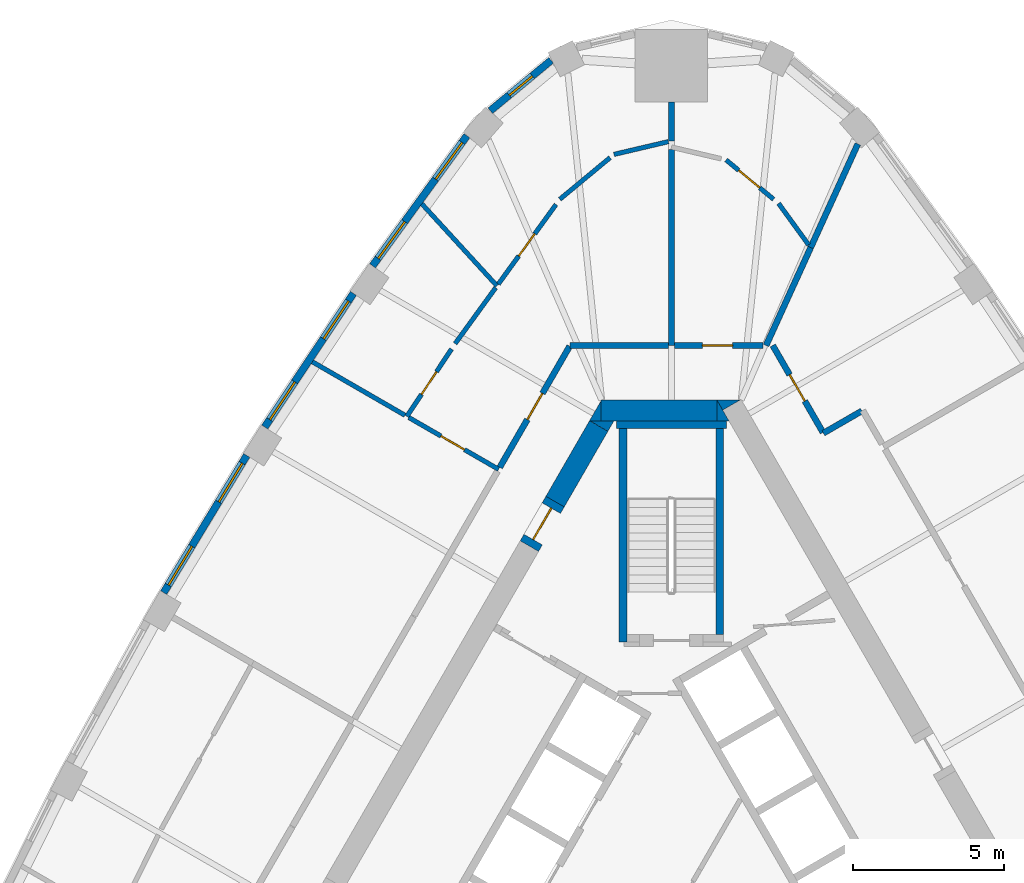
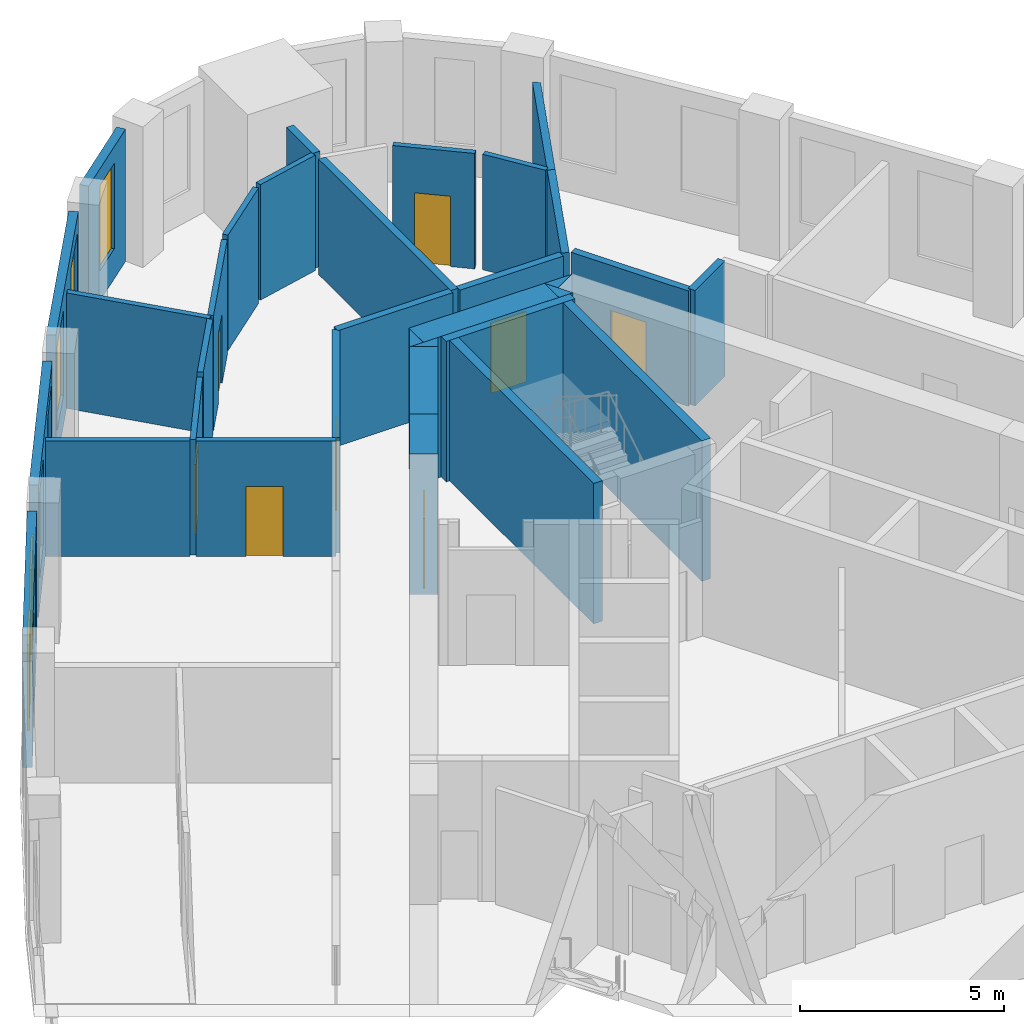
# One storey, part 8 of 10: 33 walls, 8 doors, 7 windows, 15 openings.
"""IFC4 building model written with IfcOpenShell, lengths in metres."""

from ifc_helpers import new_model, si_unit, direction, frame, frame_2d, origin, place, context, subcontext, project, spatial, polyline, rectangle, outline, extrude, material, layer, layer_set, type_object, element, fill, save


model = new_model("IFC4")

# Units and contexts
model_context = context("Model", 3, precision=1e-05, world=origin(), true_north=direction((0.0, 1.0)))
body_context = subcontext(model_context, "Body", "Model", "MODEL_VIEW")
ifc_project = project(units=[si_unit("LENGTHUNIT", "METRE"), si_unit("AREAUNIT", "SQUARE_METRE"), si_unit("VOLUMEUNIT", "CUBIC_METRE"), si_unit("PLANEANGLEUNIT", "RADIAN"), si_unit("MASSUNIT", "GRAM", prefix="KILO")], contexts=[model_context])

# Site, building, storey
site_placement = place(None, origin())
site = spatial("IfcSite", under=ifc_project, at=site_placement, CompositionType="ELEMENT")
building_placement = place(site_placement, origin())
building = spatial("IfcBuilding", under=site, at=building_placement, Name="Mestral Congress Tower", CompositionType="ELEMENT")
storey_placement = place(building_placement, frame((0.0, 0.0, 214.199951171875)))
storey = spatial("IfcBuildingStorey", under=building, at=storey_placement, Name="L50", CompositionType="ELEMENT", Elevation=214.199951171875)

# Walls
ifc_material_1 = material(Name="Concrete C60/75", Category="concrete")
ifc_layer_1 = layer(ifc_material_1, 0.699951171875)
ifc_layer_set_1 = layer_set([ifc_layer_1], Name="Concrete C60/75")
wall_type_1 = type_object("IfcWallType", Name="Core wall RC 700", PredefinedType="SOLIDWALL", material=ifc_layer_set_1)
placement = place(storey_placement, origin())
element("IfcWall", 1, at=placement, inside=storey, type_object=wall_type_1, Name="L50 core wall", PredefinedType="SOLIDWALL", context=body_context, shape_type="SweptSolid", body=[
    extrude(outline(polyline([(1.501220703125, 16.699951171875), (2.277099609375, 16.699951171875), (1.695068359375, 16.364013671875), (1.501220703125, 16.699951171875)])), origin(), (0.0, 0.0, 1.0), 4.199951171875),
])
wall_2_placement = place(storey_placement, frame((-2.323486328125, 16.35009765625, 0.0), z_axis=(0.0, 0.0, 1.0), x_axis=(1.0, 0.0, 0.0)))
element("IfcWall", 2, at=wall_2_placement, inside=storey, type_object=wall_type_1, Name="L50 core wall", PredefinedType="SOLIDWALL", context=body_context, shape_type="SweptSolid", body=[
    extrude(rectangle(XDim=3.828857421875, YDim=0.699951171875, at=frame_2d((1.91455078125, 0.0))), origin(), (0.0, 0.0, 1.0), 4.199951171875),
])
element("IfcWall", 3, at=placement, inside=storey, type_object=wall_type_1, Name="L50 core wall", PredefinedType="SOLIDWALL", context=body_context, shape_type="SweptSolid", body=[
    extrude(outline(polyline([(1.9052734375, 16.0), (1.50732421875, 16.0), (1.50732421875, 16.689208984375), (1.9052734375, 16.0)])), origin(), (0.0, 0.0, 1.0), 4.199951171875),
])
element("IfcWall", 4, at=placement, inside=storey, type_object=wall_type_1, Name="L50 core wall", PredefinedType="SOLIDWALL", context=body_context, shape_type="SweptSolid", body=[
    extrude(outline(polyline([(-2.71337890625, 16.0), (-2.325439453125, 16.672119140625), (-2.325439453125, 16.0), (-2.71337890625, 16.0)])), origin(), (0.0, 0.0, 1.0), 4.199951171875),
])
wall_5_placement = place(storey_placement, frame((-2.4033203125, 15.837158203125, 0.0), z_axis=(0.0, 0.0, 1.0), x_axis=(-0.500008214683, -0.866020660983, 0.0)))
element("IfcWall", 5, at=wall_5_placement, inside=storey, type_object=wall_type_1, Name="L50 core wall", PredefinedType="SOLIDWALL", context=body_context, shape_type="SweptSolid", body=[
    extrude(rectangle(XDim=2.88427734375, YDim=0.699951171875, at=frame_2d((1.442138671875, 0.0))), origin(), (0.0, 0.0, 1.0), 4.199951171875),
])
element("IfcWall", 6, at=placement, inside=storey, type_object=wall_type_1, Name="L50 core wall", PredefinedType="SOLIDWALL", context=body_context, shape_type="SweptSolid", body=[
    extrude(outline(polyline([(-1.9052734375, 16.0), (-2.099365234375, 15.6640625), (-2.681396484375, 16.0), (-1.9052734375, 16.0)])), origin(), (0.0, 0.0, 1.0), 4.199951171875),
])

# Wall, opening, door
wall_7_placement = place(storey_placement, frame((-4.695556640625, 11.866943359375, 0.0), z_axis=(0.0, 0.0, 1.0), x_axis=(0.499892348375, 0.866087547558, 0.0)))
wall_7 = element("IfcWall", 7, at=wall_7_placement, inside=storey, type_object=wall_type_1, Name="L50 door wall", PredefinedType="SOLIDWALL", context=body_context, shape_type="SweptSolid", body=[
    extrude(rectangle(XDim=1.699951171875, YDim=0.699951171875, at=frame_2d((0.85009765625, 0.0))), origin(), (0.0, 0.0, 1.0), 4.199951171875),
])
opening_1_placement = place(wall_7_placement, frame((0.25, 0.0, 0.0)))
opening_1 = element("IfcOpeningElement", 8, at=opening_1_placement, cuts=wall_7, Name="Opening XD2", PredefinedType="OPENING", context=body_context, shape_type="SweptSolid", body=[
    extrude(rectangle(XDim=1.199951171875, YDim=2.10009765625, at=frame_2d((0.60009765625, 1.050048828125))), frame((0.0, 0.35986328125, 0.0), z_axis=(0.0, -1.0, 0.0), x_axis=(1.0, 0.0, 0.0)), (0.0, 0.0, 1.0), 0.719970703125),
])
ifc_material_2 = material(Name="Fire-rated steel door set", Category="steel")
door_type_1 = type_object("IfcDoorType", Name="Core door XD 1200x2100", OperationType="SINGLE_SWING_LEFT", PredefinedType="DOOR", material=ifc_material_2)
door_1_placement = place(opening_1_placement, origin())
door_1 = element("IfcDoor", 9, at=door_1_placement, inside=storey, type_object=door_type_1, Name="Door XD2", OperationType="SINGLE_SWING_LEFT", OverallHeight=2.10009765625, OverallWidth=1.199951171875, PredefinedType="DOOR", context=body_context, shape_type="SweptSolid", body=[
    extrude(rectangle(XDim=1.199951171875, YDim=2.10009765625, at=frame_2d((0.60009765625, 1.050048828125))), frame((0.0, 0.02490234375, 0.0), z_axis=(0.0, -1.0, 0.0), x_axis=(1.0, 0.0, 0.0)), (0.0, 0.0, 1.0), 0.050048828125),
])
fill(opening_1, door_1)

# Wall, opening, window
ifc_material_3 = material(Name="Precast concrete C40/50 with limestone facing", Category="masonry")
ifc_layer_2 = layer(ifc_material_3, 0.239990234375)
ifc_layer_set_2 = layer_set([ifc_layer_2], Name="Precast concrete C40/50 with limestone facing")
wall_type_2 = type_object("IfcWallType", Name="Facade stone wall 240", PredefinedType="SOLIDWALL", material=ifc_layer_set_2)
wall_8_placement = place(storey_placement, frame((-3.9775390625, 27.923828125, 0.0), z_axis=(0.0, 0.0, 1.0), x_axis=(-0.769990037733, -0.638055908045, 0.0)))
wall_8 = element("IfcWall", 10, at=wall_8_placement, inside=storey, type_object=wall_type_2, Name="Facade wall K1-3", PredefinedType="SOLIDWALL", context=body_context, shape_type="SweptSolid", body=[
    extrude(rectangle(XDim=2.609130859375, YDim=0.239990234375, at=frame_2d((1.3046875, 0.0))), origin(), (0.0, 0.0, 1.0), 3.949951171875),
])
opening_2_placement = place(wall_8_placement, frame((0.8046875, 0.0, 0.89990234375)))
opening_2 = element("IfcOpeningElement", 11, at=opening_2_placement, cuts=wall_8, Name="Opening W5", PredefinedType="OPENING", context=body_context, shape_type="SweptSolid", body=[
    extrude(rectangle(XDim=1.0, YDim=2.550048828125, at=frame_2d((0.5, 1.27490234375))), frame((0.0, 0.1298828125, 0.0), z_axis=(0.0, -1.0, 0.0), x_axis=(1.0, 0.0, 0.0)), (0.0, 0.0, 1.0), 0.260009765625),
])
ifc_material_4 = material(Name="Clear low-emissivity double glazing", Category="glass")
window_type_1 = type_object("IfcWindowType", Name="Facade punched window 1000 x 2550 sill 900", PartitioningType="SINGLE_PANEL", PredefinedType="WINDOW", material=ifc_material_4)
window_1_placement = place(opening_2_placement, origin())
window_1 = element("IfcWindow", 12, at=window_1_placement, inside=storey, type_object=window_type_1, Name="Window K1-3", OverallHeight=2.550048828125, OverallWidth=1.0, PartitioningType="SINGLE_PANEL", PredefinedType="WINDOW", context=body_context, shape_type="SweptSolid", body=[
    extrude(rectangle(XDim=1.0, YDim=2.550048828125, at=frame_2d((0.5, 1.27490234375))), frame((0.0, 0.0400390625, 0.0), z_axis=(0.0, -1.0, 0.0), x_axis=(1.0, 0.0, 0.0)), (0.0, 0.0, 1.0), 0.06005859375),
])
fill(opening_2, window_1)

# Wall, openings, windows
wall_9_placement = place(storey_placement, frame((-6.760986328125, 25.431884765625, 0.0), z_axis=(0.0, 0.0, 1.0), x_axis=(-0.586998456641, -0.80958805074, 0.0)))
wall_9 = element("IfcWall", 13, at=wall_9_placement, inside=storey, type_object=wall_type_2, Name="Facade wall F2-00", PredefinedType="SOLIDWALL", context=body_context, shape_type="SweptSolid", body=[
    extrude(rectangle(XDim=5.310791015625, YDim=0.239990234375, at=frame_2d((2.6552734375, 0.0))), origin(), (0.0, 0.0, 1.0), 3.949951171875),
])
opening_3_placement = place(wall_9_placement, frame((0.271484375, 0.0, 0.89990234375)))
opening_3 = element("IfcOpeningElement", 14, at=opening_3_placement, cuts=wall_9, Name="Opening W4", PredefinedType="OPENING", context=body_context, shape_type="SweptSolid", body=[
    extrude(rectangle(XDim=1.5, YDim=2.550048828125, at=frame_2d((0.75, 1.27490234375))), frame((0.0, 0.1298828125, 0.0), z_axis=(0.0, -1.0, 0.0), x_axis=(1.0, 0.0, 0.0)), (0.0, 0.0, 1.0), 0.260009765625),
])
opening_4_placement = place(wall_9_placement, frame((3.50439453125, 0.0, 0.89990234375)))
opening_4 = element("IfcOpeningElement", 15, at=opening_4_placement, cuts=wall_9, Name="Opening W4", PredefinedType="OPENING", context=body_context, shape_type="SweptSolid", body=[
    extrude(rectangle(XDim=1.5, YDim=2.550048828125, at=frame_2d((0.75, 1.27490234375))), frame((0.0, 0.1298828125, 0.0), z_axis=(0.0, -1.0, 0.0), x_axis=(1.0, 0.0, 0.0)), (0.0, 0.0, 1.0), 0.260009765625),
])
window_type_2 = type_object("IfcWindowType", Name="Facade punched window 1500 x 2550 sill 900", PartitioningType="SINGLE_PANEL", PredefinedType="WINDOW", material=ifc_material_4)
window_2_placement = place(opening_3_placement, origin())
window_2 = element("IfcWindow", 16, at=window_2_placement, inside=storey, type_object=window_type_2, Name="Window F2-00a", OverallHeight=2.550048828125, OverallWidth=1.5, PartitioningType="SINGLE_PANEL", PredefinedType="WINDOW", context=body_context, shape_type="SweptSolid", body=[
    extrude(rectangle(XDim=1.5, YDim=2.550048828125, at=frame_2d((0.75, 1.27490234375))), frame((0.0, 0.0400390625, 0.0), z_axis=(0.0, -1.0, 0.0), x_axis=(1.0, 0.0, 0.0)), (0.0, 0.0, 1.0), 0.06005859375),
])
fill(opening_3, window_2)
window_3_placement = place(opening_4_placement, origin())
window_3 = element("IfcWindow", 17, at=window_3_placement, inside=storey, type_object=window_type_2, Name="Window F2-00b", OverallHeight=2.550048828125, OverallWidth=1.5, PartitioningType="SINGLE_PANEL", PredefinedType="WINDOW", context=body_context, shape_type="SweptSolid", body=[
    extrude(rectangle(XDim=1.5, YDim=2.550048828125, at=frame_2d((0.75, 1.27490234375))), frame((0.0, 0.0400390625, 0.0), z_axis=(0.0, -1.0, 0.0), x_axis=(1.0, 0.0, 0.0)), (0.0, 0.0, 1.0), 0.06005859375),
])
fill(opening_4, window_3)

wall_10_placement = place(storey_placement, frame((-10.5126953125, 20.21826171875, 0.0), z_axis=(0.0, 0.0, 1.0), x_axis=(-0.552901821755, -0.833246407433, 0.0)))
wall_10 = element("IfcWall", 18, at=wall_10_placement, inside=storey, type_object=wall_type_2, Name="Facade wall F2-01", PredefinedType="SOLIDWALL", context=body_context, shape_type="SweptSolid", body=[
    extrude(rectangle(XDim=5.29833984375, YDim=0.239990234375, at=frame_2d((2.649169921875, 0.0))), origin(), (0.0, 0.0, 1.0), 3.949951171875),
])
opening_5_placement = place(wall_10_placement, frame((0.29443359375, 0.0, 0.89990234375)))
opening_5 = element("IfcOpeningElement", 19, at=opening_5_placement, cuts=wall_10, Name="Opening W4", PredefinedType="OPENING", context=body_context, shape_type="SweptSolid", body=[
    extrude(rectangle(XDim=1.5, YDim=2.550048828125, at=frame_2d((0.75, 1.27490234375))), frame((0.0, 0.1298828125, 0.0), z_axis=(0.0, -1.0, 0.0), x_axis=(1.0, 0.0, 0.0)), (0.0, 0.0, 1.0), 0.260009765625),
])
opening_6_placement = place(wall_10_placement, frame((3.503662109375, 0.0, 0.89990234375)))
opening_6 = element("IfcOpeningElement", 20, at=opening_6_placement, cuts=wall_10, Name="Opening W4", PredefinedType="OPENING", context=body_context, shape_type="SweptSolid", body=[
    extrude(rectangle(XDim=1.5, YDim=2.550048828125, at=frame_2d((0.75, 1.27490234375))), frame((0.0, 0.1298828125, 0.0), z_axis=(0.0, -1.0, 0.0), x_axis=(1.0, 0.0, 0.0)), (0.0, 0.0, 1.0), 0.260009765625),
])
window_4_placement = place(opening_5_placement, origin())
window_4 = element("IfcWindow", 21, at=window_4_placement, inside=storey, type_object=window_type_2, Name="Window F2-01a", OverallHeight=2.550048828125, OverallWidth=1.5, PartitioningType="SINGLE_PANEL", PredefinedType="WINDOW", context=body_context, shape_type="SweptSolid", body=[
    extrude(rectangle(XDim=1.5, YDim=2.550048828125, at=frame_2d((0.75, 1.27490234375))), frame((0.0, 0.0400390625, 0.0), z_axis=(0.0, -1.0, 0.0), x_axis=(1.0, 0.0, 0.0)), (0.0, 0.0, 1.0), 0.06005859375),
])
fill(opening_5, window_4)
window_5_placement = place(opening_6_placement, origin())
window_5 = element("IfcWindow", 22, at=window_5_placement, inside=storey, type_object=window_type_2, Name="Window F2-01b", OverallHeight=2.550048828125, OverallWidth=1.5, PartitioningType="SINGLE_PANEL", PredefinedType="WINDOW", context=body_context, shape_type="SweptSolid", body=[
    extrude(rectangle(XDim=1.5, YDim=2.550048828125, at=frame_2d((0.75, 1.27490234375))), frame((0.0, 0.0400390625, 0.0), z_axis=(0.0, -1.0, 0.0), x_axis=(1.0, 0.0, 0.0)), (0.0, 0.0, 1.0), 0.06005859375),
])
fill(opening_6, window_5)

wall_11_placement = place(storey_placement, frame((-14.0380859375, 14.86376953125, 0.0), z_axis=(0.0, 0.0, 1.0), x_axis=(-0.517846166225, -0.855473756538, 0.0)))
wall_11 = element("IfcWall", 23, at=wall_11_placement, inside=storey, type_object=wall_type_2, Name="Facade wall F2-02", PredefinedType="SOLIDWALL", context=body_context, shape_type="SweptSolid", body=[
    extrude(rectangle(XDim=5.298095703125, YDim=0.239990234375, at=frame_2d((2.64892578125, 0.0))), origin(), (0.0, 0.0, 1.0), 3.949951171875),
])
opening_7_placement = place(wall_11_placement, frame((0.29443359375, 0.0, 0.89990234375)))
opening_7 = element("IfcOpeningElement", 24, at=opening_7_placement, cuts=wall_11, Name="Opening W4", PredefinedType="OPENING", context=body_context, shape_type="SweptSolid", body=[
    extrude(rectangle(XDim=1.5, YDim=2.550048828125, at=frame_2d((0.75, 1.27490234375))), frame((0.0, 0.1298828125, 0.0), z_axis=(0.0, -1.0, 0.0), x_axis=(1.0, 0.0, 0.0)), (0.0, 0.0, 1.0), 0.260009765625),
])
opening_8_placement = place(wall_11_placement, frame((3.503662109375, 0.0, 0.89990234375)))
opening_8 = element("IfcOpeningElement", 25, at=opening_8_placement, cuts=wall_11, Name="Opening W4", PredefinedType="OPENING", context=body_context, shape_type="SweptSolid", body=[
    extrude(rectangle(XDim=1.5, YDim=2.550048828125, at=frame_2d((0.75, 1.27490234375))), frame((0.0, 0.1298828125, 0.0), z_axis=(0.0, -1.0, 0.0), x_axis=(1.0, 0.0, 0.0)), (0.0, 0.0, 1.0), 0.260009765625),
])
window_6_placement = place(opening_7_placement, origin())
window_6 = element("IfcWindow", 26, at=window_6_placement, inside=storey, type_object=window_type_2, Name="Window F2-02a", OverallHeight=2.550048828125, OverallWidth=1.5, PartitioningType="SINGLE_PANEL", PredefinedType="WINDOW", context=body_context, shape_type="SweptSolid", body=[
    extrude(rectangle(XDim=1.5, YDim=2.550048828125, at=frame_2d((0.75, 1.27490234375))), frame((0.0, 0.0400390625, 0.0), z_axis=(0.0, -1.0, 0.0), x_axis=(1.0, 0.0, 0.0)), (0.0, 0.0, 1.0), 0.06005859375),
])
fill(opening_7, window_6)
window_7_placement = place(opening_8_placement, origin())
window_7 = element("IfcWindow", 27, at=window_7_placement, inside=storey, type_object=window_type_2, Name="Window F2-02b", OverallHeight=2.550048828125, OverallWidth=1.5, PartitioningType="SINGLE_PANEL", PredefinedType="WINDOW", context=body_context, shape_type="SweptSolid", body=[
    extrude(rectangle(XDim=1.5, YDim=2.550048828125, at=frame_2d((0.75, 1.27490234375))), frame((0.0, 0.0400390625, 0.0), z_axis=(0.0, -1.0, 0.0), x_axis=(1.0, 0.0, 0.0)), (0.0, 0.0, 1.0), 0.06005859375),
])
fill(opening_8, window_7)

# Wall
ifc_material_5 = material(Name="Plasterboard partition on steel studs", Category="steel")
ifc_layer_3 = layer(ifc_material_5, 0.14990234375)
ifc_layer_set_3 = layer_set([ifc_layer_3], Name="Plasterboard partition on steel studs")
wall_type_3 = type_object("IfcWallType", Name="Office partition 150", PredefinedType="PARTITIONING", material=ifc_layer_set_3)
wall_12_placement = place(storey_placement, frame((4.533203125, 21.826416015625, 0.0), z_axis=(0.0, 0.0, 1.0), x_axis=(-0.587019669034, 0.809572670096, 0.0)))
element("IfcWall", 28, at=wall_12_placement, inside=storey, type_object=wall_type_3, Name="Partition", PredefinedType="PARTITIONING", context=body_context, shape_type="SweptSolid", body=[
    extrude(rectangle(XDim=1.689453125, YDim=0.14990234375, at=frame_2d((0.8447265625, 0.0))), origin(), (0.0, 0.0, 1.0), 3.449951171875),
])

# Wall, opening, door
wall_13_placement = place(storey_placement, frame((1.8076171875, 24.630859375, 0.0), z_axis=(0.0, 0.0, 1.0), x_axis=(0.769986239032, -0.638060492195, 0.0)))
wall_13 = element("IfcWall", 29, at=wall_13_placement, inside=storey, type_object=wall_type_3, Name="Partition", PredefinedType="PARTITIONING", context=body_context, shape_type="SweptSolid", body=[
    extrude(rectangle(XDim=2.03759765625, YDim=0.14990234375, at=frame_2d((1.018798828125, 0.0))), origin(), (0.0, 0.0, 1.0), 3.449951171875),
])
opening_9_placement = place(wall_13_placement, frame((0.53759765625, 0.0, 0.0)))
opening_9 = element("IfcOpeningElement", 30, at=opening_9_placement, cuts=wall_13, Name="Opening O07-007", PredefinedType="OPENING", context=body_context, shape_type="SweptSolid", body=[
    extrude(rectangle(XDim=0.89990234375, YDim=2.10009765625, at=frame_2d((0.449951171875, 1.050048828125))), frame((0.0, 0.0849609375, 0.0), z_axis=(0.0, -1.0, 0.0), x_axis=(1.0, 0.0, 0.0)), (0.0, 0.0, 1.0), 0.169921875),
])
ifc_material_6 = material(Name="Timber door set", Category="wood")
door_type_2 = type_object("IfcDoorType", Name="Office door 900x2100", OperationType="SINGLE_SWING_LEFT", PredefinedType="DOOR", material=ifc_material_6)
door_2_placement = place(opening_9_placement, origin())
door_2 = element("IfcDoor", 31, at=door_2_placement, inside=storey, type_object=door_type_2, Name="Door O07-007", OperationType="SINGLE_SWING_LEFT", OverallHeight=2.10009765625, OverallWidth=0.89990234375, PredefinedType="DOOR", context=body_context, shape_type="SweptSolid", body=[
    extrude(rectangle(XDim=0.89990234375, YDim=2.10009765625, at=frame_2d((0.449951171875, 1.050048828125))), frame((0.0, 0.02490234375, 0.0), z_axis=(0.0, -1.0, 0.0), x_axis=(1.0, 0.0, 0.0)), (0.0, 0.0, 1.0), 0.050048828125),
])
fill(opening_9, door_2)

# Walls
wall_14_placement = place(storey_placement, frame((-5.764404296875, 20.46923828125, 0.0), z_axis=(0.0, 0.0, 1.0), x_axis=(-0.675673477211, 0.737201025632, 0.0)))
element("IfcWall", 32, at=wall_14_placement, inside=storey, type_object=wall_type_3, Name="Partition", PredefinedType="PARTITIONING", context=body_context, shape_type="SweptSolid", body=[
    extrude(rectangle(XDim=3.67431640625, YDim=0.14990234375, at=frame_2d((1.837158203125, 0.0))), origin(), (0.0, 0.0, 1.0), 3.449951171875),
])
wall_15_placement = place(storey_placement, frame((-0.10009765625, 25.2373046875, 0.0), z_axis=(0.0, 0.0, 1.0), x_axis=(-0.973501996937, -0.22867851224, 0.0)))
element("IfcWall", 33, at=wall_15_placement, inside=storey, type_object=wall_type_3, Name="Partition", PredefinedType="PARTITIONING", context=body_context, shape_type="SweptSolid", body=[
    extrude(rectangle(XDim=1.84814453125, YDim=0.14990234375, at=frame_2d((0.924072265625, 0.0))), origin(), (0.0, 0.0, 1.0), 3.449951171875),
])
wall_16_placement = place(storey_placement, frame((-2.02880859375, 24.707275390625, 0.0), z_axis=(0.0, 0.0, 1.0), x_axis=(-0.769991356208, -0.63805431694, 0.0)))
element("IfcWall", 34, at=wall_16_placement, inside=storey, type_object=wall_type_3, Name="Partition", PredefinedType="PARTITIONING", context=body_context, shape_type="SweptSolid", body=[
    extrude(rectangle(XDim=2.15576171875, YDim=0.14990234375, at=frame_2d((1.077880859375, 0.0))), origin(), (0.0, 0.0, 1.0), 3.449951171875),
])

# Wall, opening, door
wall_17_placement = place(storey_placement, frame((-5.71923828125, 20.53125, 0.0), z_axis=(0.0, 0.0, 1.0), x_axis=(0.586981132734, 0.809600611298, 0.0)))
wall_17 = element("IfcWall", 35, at=wall_17_placement, inside=storey, type_object=wall_type_3, Name="Partition", PredefinedType="PARTITIONING", context=body_context, shape_type="SweptSolid", body=[
    extrude(rectangle(XDim=3.2451171875, YDim=0.14990234375, at=frame_2d((1.62255859375, 0.0))), origin(), (0.0, 0.0, 1.0), 3.449951171875),
])
opening_10_placement = place(wall_17_placement, frame((1.145263671875, 0.0, 0.0)))
opening_10 = element("IfcOpeningElement", 36, at=opening_10_placement, cuts=wall_17, Name="Opening O07-009", PredefinedType="OPENING", context=body_context, shape_type="SweptSolid", body=[
    extrude(rectangle(XDim=0.89990234375, YDim=2.10009765625, at=frame_2d((0.449951171875, 1.050048828125))), frame((0.0, 0.0849609375, 0.0), z_axis=(0.0, -1.0, 0.0), x_axis=(1.0, 0.0, 0.0)), (0.0, 0.0, 1.0), 0.169921875),
])
door_3_placement = place(opening_10_placement, origin())
door_3 = element("IfcDoor", 37, at=door_3_placement, inside=storey, type_object=door_type_2, Name="Door O07-009", OperationType="SINGLE_SWING_LEFT", OverallHeight=2.10009765625, OverallWidth=0.89990234375, PredefinedType="DOOR", context=body_context, shape_type="SweptSolid", body=[
    extrude(rectangle(XDim=0.89990234375, YDim=2.10009765625, at=frame_2d((0.449951171875, 1.050048828125))), frame((0.0, 0.02490234375, 0.0), z_axis=(0.0, -1.0, 0.0), x_axis=(1.0, 0.0, 0.0)), (0.0, 0.0, 1.0), 0.050048828125),
])
fill(opening_10, door_3)

# Wall
wall_18_placement = place(storey_placement, frame((-5.80908203125, 20.4072265625, 0.0), z_axis=(0.0, 0.0, 1.0), x_axis=(-0.587095604593, -0.809517603927, 0.0)))
element("IfcWall", 38, at=wall_18_placement, inside=storey, type_object=wall_type_3, Name="Partition", PredefinedType="PARTITIONING", context=body_context, shape_type="SweptSolid", body=[
    extrude(rectangle(XDim=2.281005859375, YDim=0.14990234375, at=frame_2d((1.140625, 0.0))), origin(), (0.0, 0.0, 1.0), 3.449951171875),
])

# Wall, opening, door
wall_19_placement = place(storey_placement, frame((-8.74365234375, 16.156005859375, 0.0), z_axis=(0.0, 0.0, 1.0), x_axis=(0.552885218102, 0.833257424572, 0.0)))
wall_19 = element("IfcWall", 39, at=wall_19_placement, inside=storey, type_object=wall_type_3, Name="Partition", PredefinedType="PARTITIONING", context=body_context, shape_type="SweptSolid", body=[
    extrude(rectangle(XDim=2.671630859375, YDim=0.14990234375, at=frame_2d((1.3359375, 0.0))), origin(), (0.0, 0.0, 1.0), 3.449951171875),
])
opening_11_placement = place(wall_19_placement, frame((0.87158203125, 0.0, 0.0)))
opening_11 = element("IfcOpeningElement", 40, at=opening_11_placement, cuts=wall_19, Name="Opening O07-010", PredefinedType="OPENING", context=body_context, shape_type="SweptSolid", body=[
    extrude(rectangle(XDim=0.89990234375, YDim=2.10009765625, at=frame_2d((0.449951171875, 1.050048828125))), frame((0.0, 0.0849609375, 0.0), z_axis=(0.0, -1.0, 0.0), x_axis=(1.0, 0.0, 0.0)), (0.0, 0.0, 1.0), 0.169921875),
])
door_4_placement = place(opening_11_placement, origin())
door_4 = element("IfcDoor", 41, at=door_4_placement, inside=storey, type_object=door_type_2, Name="Door O07-010", OperationType="SINGLE_SWING_LEFT", OverallHeight=2.10009765625, OverallWidth=0.89990234375, PredefinedType="DOOR", context=body_context, shape_type="SweptSolid", body=[
    extrude(rectangle(XDim=0.89990234375, YDim=2.10009765625, at=frame_2d((0.449951171875, 1.050048828125))), frame((0.0, 0.02490234375, 0.0), z_axis=(0.0, -1.0, 0.0), x_axis=(1.0, 0.0, 0.0)), (0.0, 0.0, 1.0), 0.050048828125),
])
fill(opening_11, door_4)

# Wall
wall_20_placement = place(storey_placement, frame((-8.808837890625, 16.193603515625, 0.0), z_axis=(0.0, 0.0, 1.0), x_axis=(-0.865996792572, 0.500049552799, 0.0)))
element("IfcWall", 42, at=wall_20_placement, inside=storey, type_object=wall_type_3, Name="Partition", PredefinedType="PARTITIONING", context=body_context, shape_type="SweptSolid", body=[
    extrude(rectangle(XDim=3.531982421875, YDim=0.14990234375, at=frame_2d((1.76611328125, 0.0))), origin(), (0.0, 0.0, 1.0), 3.449951171875),
])

# Wall, opening, door
wall_21_placement = place(storey_placement, frame((-5.71240234375, 14.406005859375, 0.0), z_axis=(0.0, 0.0, 1.0), x_axis=(-0.866050272892, 0.499956922968, 0.0)))
wall_21 = element("IfcWall", 43, at=wall_21_placement, inside=storey, type_object=wall_type_3, Name="Partition", PredefinedType="PARTITIONING", context=body_context, shape_type="SweptSolid", body=[
    extrude(rectangle(XDim=3.425048828125, YDim=0.14990234375, at=frame_2d((1.71240234375, 0.0))), origin(), (0.0, 0.0, 1.0), 3.449951171875),
])
opening_12_placement = place(wall_21_placement, frame((1.300048828125, 0.0, 0.0)))
opening_12 = element("IfcOpeningElement", 44, at=opening_12_placement, cuts=wall_21, Name="Opening O07-012", PredefinedType="OPENING", context=body_context, shape_type="SweptSolid", body=[
    extrude(rectangle(XDim=0.89990234375, YDim=2.10009765625, at=frame_2d((0.449951171875, 1.050048828125))), frame((0.0, 0.0849609375, 0.0), z_axis=(0.0, -1.0, 0.0), x_axis=(1.0, 0.0, 0.0)), (0.0, 0.0, 1.0), 0.169921875),
])
door_5_placement = place(opening_12_placement, origin())
door_5 = element("IfcDoor", 45, at=door_5_placement, inside=storey, type_object=door_type_2, Name="Door O07-012", OperationType="SINGLE_SWING_RIGHT", OverallHeight=2.10009765625, OverallWidth=0.89990234375, PredefinedType="DOOR", context=body_context, shape_type="SweptSolid", body=[
    extrude(rectangle(XDim=0.89990234375, YDim=2.10009765625, at=frame_2d((0.449951171875, 1.050048828125))), frame((0.0, 0.02490234375, 0.0), z_axis=(0.0, -1.0, 0.0), x_axis=(1.0, 0.0, 0.0)), (0.0, 0.0, 1.0), 0.050048828125),
])
fill(opening_12, door_5)

# Walls
ifc_material_7 = material(Name="Dense masonry wall, plastered", Category="masonry")
ifc_layer_4 = layer(ifc_material_7, 0.199951171875)
ifc_layer_set_4 = layer_set([ifc_layer_4], Name="Dense masonry wall, plastered")
wall_type_4 = type_object("IfcWallType", Name="Office tenancy wall 200", PredefinedType="PARTITIONING", material=ifc_layer_set_4)
wall_22_placement = place(storey_placement, frame((4.59912109375, 21.7294921875, 0.0), z_axis=(0.0, 0.0, 1.0), x_axis=(0.414300595715, 0.91014010811, 0.0)))
element("IfcWall", 46, at=wall_22_placement, inside=storey, type_object=wall_type_4, Name="Tenancy wall", PredefinedType="PARTITIONING", context=body_context, shape_type="SweptSolid", body=[
    extrude(rectangle(XDim=3.76953125, YDim=0.199951171875, at=frame_2d((1.884765625, 0.0))), origin(), (0.0, 0.0, 1.0), 3.449951171875),
])
wall_23_placement = place(storey_placement, frame((3.12890625, 18.5, 0.0), z_axis=(0.0, 0.0, 1.0), x_axis=(0.41435618773, 0.910114800281, 0.0)))
element("IfcWall", 47, at=wall_23_placement, inside=storey, type_object=wall_type_4, Name="Tenancy wall", PredefinedType="PARTITIONING", context=body_context, shape_type="SweptSolid", body=[
    extrude(rectangle(XDim=3.55712890625, YDim=0.199951171875, at=frame_2d((1.778564453125, 0.0))), origin(), (0.0, 0.0, 1.0), 3.449951171875),
])
wall_24_placement = place(storey_placement, frame((6.29541015625, 16.336181640625, 0.0), z_axis=(0.0, 0.0, 1.0), x_axis=(-0.866088799389, -0.499890179513, 0.0)))
element("IfcWall", 48, at=wall_24_placement, inside=storey, type_object=wall_type_4, Name="Tenancy wall", PredefinedType="PARTITIONING", context=body_context, shape_type="SweptSolid", body=[
    extrude(rectangle(XDim=1.469970703125, YDim=0.199951171875, at=frame_2d((0.73486328125, 0.0))), origin(), (0.0, 0.0, 1.0), 3.449951171875),
])

# Wall, opening, door
wall_25_placement = place(storey_placement, frame((5.007080078125, 15.627197265625, 0.0), z_axis=(0.0, 0.0, 1.0), x_axis=(-0.499962429619, 0.866047093968, 0.0)))
wall_25 = element("IfcWall", 49, at=wall_25_placement, inside=storey, type_object=wall_type_4, Name="Tenancy wall", PredefinedType="PARTITIONING", context=body_context, shape_type="SweptSolid", body=[
    extrude(rectangle(XDim=3.317138671875, YDim=0.199951171875, at=frame_2d((1.65869140625, 0.0))), origin(), (0.0, 0.0, 1.0), 3.449951171875),
])
opening_13_placement = place(wall_25_placement, frame((1.199951171875, 0.0, 0.0)))
opening_13 = element("IfcOpeningElement", 50, at=opening_13_placement, cuts=wall_25, Name="Opening O07-006", PredefinedType="OPENING", context=body_context, shape_type="SweptSolid", body=[
    extrude(rectangle(XDim=1.0, YDim=2.10009765625, at=frame_2d((0.5, 1.050048828125))), frame((0.0, 0.10986328125, 0.0), z_axis=(0.0, -1.0, 0.0), x_axis=(1.0, 0.0, 0.0)), (0.0, 0.0, 1.0), 0.219970703125),
])
ifc_material_8 = material(Name="Fire-rated timber door set", Category="wood")
door_type_3 = type_object("IfcDoorType", Name="Office tenancy entrance door 1000x2100", OperationType="SINGLE_SWING_LEFT", PredefinedType="DOOR", material=ifc_material_8)
door_6_placement = place(opening_13_placement, origin())
door_6 = element("IfcDoor", 51, at=door_6_placement, inside=storey, type_object=door_type_3, Name="Door O07-006", OperationType="SINGLE_SWING_RIGHT", OverallHeight=2.10009765625, OverallWidth=1.0, PredefinedType="DOOR", context=body_context, shape_type="SweptSolid", body=[
    extrude(rectangle(XDim=1.0, YDim=2.10009765625, at=frame_2d((0.5, 1.050048828125))), frame((0.0, 0.02490234375, 0.0), z_axis=(0.0, -1.0, 0.0), x_axis=(1.0, 0.0, 0.0)), (0.0, 0.0, 1.0), 0.050048828125),
])
fill(opening_13, door_6)

# Walls
wall_26_placement = place(storey_placement, frame((0.0, 25.256591796875, 0.0), z_axis=(0.0, 0.0, 1.0), x_axis=(0.0, 1.0, 0.0)))
element("IfcWall", 52, at=wall_26_placement, inside=storey, type_object=wall_type_4, Name="Tenancy wall", PredefinedType="PARTITIONING", context=body_context, shape_type="SweptSolid", body=[
    extrude(rectangle(XDim=1.287841796875, YDim=0.199951171875, at=frame_2d((0.64404296875, 0.0))), origin(), (0.0, 0.0, 1.0), 3.449951171875),
])
wall_27_placement = place(storey_placement, frame((0.0, 18.5, 0.0), z_axis=(0.0, 0.0, 1.0), x_axis=(0.0, 1.0, 0.0)))
element("IfcWall", 53, at=wall_27_placement, inside=storey, type_object=wall_type_4, Name="Tenancy wall", PredefinedType="PARTITIONING", context=body_context, shape_type="SweptSolid", body=[
    extrude(rectangle(XDim=6.478515625, YDim=0.199951171875, at=frame_2d((3.2392578125, 0.0))), origin(), (0.0, 0.0, 1.0), 3.449951171875),
])

# Wall, opening, door
wall_28_placement = place(storey_placement, frame((3.01904296875, 18.5, 0.0), z_axis=(0.0, 0.0, 1.0), x_axis=(-1.0, 0.0, 0.0)))
wall_28 = element("IfcWall", 54, at=wall_28_placement, inside=storey, type_object=wall_type_4, Name="Tenancy wall", PredefinedType="PARTITIONING", context=body_context, shape_type="SweptSolid", body=[
    extrude(rectangle(XDim=2.9189453125, YDim=0.199951171875, at=frame_2d((1.45947265625, 0.0))), origin(), (0.0, 0.0, 1.0), 3.449951171875),
])
opening_14_placement = place(wall_28_placement, frame((1.0, 0.0, 0.0)))
opening_14 = element("IfcOpeningElement", 55, at=opening_14_placement, cuts=wall_28, Name="Opening O07-008", PredefinedType="OPENING", context=body_context, shape_type="SweptSolid", body=[
    extrude(rectangle(XDim=1.0, YDim=2.10009765625, at=frame_2d((0.5, 1.050048828125))), frame((0.0, 0.10986328125, 0.0), z_axis=(0.0, -1.0, 0.0), x_axis=(1.0, 0.0, 0.0)), (0.0, 0.0, 1.0), 0.219970703125),
])
door_7_placement = place(opening_14_placement, origin())
door_7 = element("IfcDoor", 56, at=door_7_placement, inside=storey, type_object=door_type_3, Name="Door O07-008", OperationType="SINGLE_SWING_RIGHT", OverallHeight=2.10009765625, OverallWidth=1.0, PredefinedType="DOOR", context=body_context, shape_type="SweptSolid", body=[
    extrude(rectangle(XDim=1.0, YDim=2.10009765625, at=frame_2d((0.5, 1.050048828125))), frame((0.0, 0.02490234375, 0.0), z_axis=(0.0, -1.0, 0.0), x_axis=(1.0, 0.0, 0.0)), (0.0, 0.0, 1.0), 0.050048828125),
])
fill(opening_14, door_7)

# Wall
wall_29_placement = place(storey_placement, frame((-0.10009765625, 18.5, 0.0), z_axis=(0.0, 0.0, 1.0), x_axis=(-1.0, 0.0, 0.0)))
element("IfcWall", 57, at=wall_29_placement, inside=storey, type_object=wall_type_4, Name="Tenancy wall", PredefinedType="PARTITIONING", context=body_context, shape_type="SweptSolid", body=[
    extrude(rectangle(XDim=3.24853515625, YDim=0.199951171875, at=frame_2d((1.624267578125, 0.0))), origin(), (0.0, 0.0, 1.0), 3.449951171875),
])

# Wall, opening, door
wall_30_placement = place(storey_placement, frame((-3.363525390625, 18.47412109375, 0.0), z_axis=(0.0, 0.0, 1.0), x_axis=(-0.500007432598, -0.866021112529, 0.0)))
wall_30 = element("IfcWall", 58, at=wall_30_placement, inside=storey, type_object=wall_type_4, Name="Tenancy wall", PredefinedType="PARTITIONING", context=body_context, shape_type="SweptSolid", body=[
    extrude(rectangle(XDim=4.62255859375, YDim=0.199951171875, at=frame_2d((2.311279296875, 0.0))), origin(), (0.0, 0.0, 1.0), 3.449951171875),
])
opening_15_placement = place(wall_30_placement, frame((1.800048828125, 0.0, 0.0)))
opening_15 = element("IfcOpeningElement", 59, at=opening_15_placement, cuts=wall_30, Name="Opening O07-011", PredefinedType="OPENING", context=body_context, shape_type="SweptSolid", body=[
    extrude(rectangle(XDim=1.0, YDim=2.10009765625, at=frame_2d((0.5, 1.050048828125))), frame((0.0, 0.10986328125, 0.0), z_axis=(0.0, -1.0, 0.0), x_axis=(1.0, 0.0, 0.0)), (0.0, 0.0, 1.0), 0.219970703125),
])
door_8_placement = place(opening_15_placement, origin())
door_8 = element("IfcDoor", 60, at=door_8_placement, inside=storey, type_object=door_type_3, Name="Door O07-011", OperationType="SINGLE_SWING_LEFT", OverallHeight=2.10009765625, OverallWidth=1.0, PredefinedType="DOOR", context=body_context, shape_type="SweptSolid", body=[
    extrude(rectangle(XDim=1.0, YDim=2.10009765625, at=frame_2d((0.5, 1.050048828125))), frame((0.0, 0.02490234375, 0.0), z_axis=(0.0, -1.0, 0.0), x_axis=(1.0, 0.0, 0.0)), (0.0, 0.0, 1.0), 0.050048828125),
])
fill(opening_15, door_8)

# Walls
ifc_layer_5 = layer(ifc_material_1, 0.25)
ifc_layer_set_5 = layer_set([ifc_layer_5], Name="Concrete C60/75")
wall_type_5 = type_object("IfcWallType", Name="Stair wall RC 250", PredefinedType="SOLIDWALL", material=ifc_layer_set_5)
wall_31_placement = place(storey_placement, frame((-1.81689453125, 15.875, 0.0), z_axis=(0.0, 0.0, 1.0), x_axis=(1.0, 0.0, 0.0)))
element("IfcWall", 61, at=wall_31_placement, inside=storey, type_object=wall_type_5, Name="L50 core wall", PredefinedType="SOLIDWALL", context=body_context, shape_type="SweptSolid", body=[
    extrude(rectangle(XDim=3.6337890625, YDim=0.25, at=frame_2d((1.81689453125, 0.0))), origin(), (0.0, 0.0, 1.0), 4.199951171875),
])
wall_32_placement = place(storey_placement, frame((1.60009765625, 8.949951171875, 0.0), z_axis=(0.0, 0.0, 1.0), x_axis=(0.0, 1.0, 0.0)))
element("IfcWall", 62, at=wall_32_placement, inside=storey, type_object=wall_type_5, Name="L50 core wall", PredefinedType="SOLIDWALL", context=body_context, shape_type="SweptSolid", body=[
    extrude(rectangle(XDim=6.800048828125, YDim=0.25, at=frame_2d((3.39990234375, 0.0))), origin(), (0.0, 0.0, 1.0), 4.199951171875),
])
wall_33_placement = place(storey_placement, frame((-1.60009765625, 8.699951171875, 0.0), z_axis=(0.0, 0.0, 1.0), x_axis=(0.0, 1.0, 0.0)))
element("IfcWall", 63, at=wall_33_placement, inside=storey, type_object=wall_type_5, Name="L50 core wall", PredefinedType="SOLIDWALL", context=body_context, shape_type="SweptSolid", body=[
    extrude(rectangle(XDim=7.050048828125, YDim=0.25, at=frame_2d((3.52490234375, 0.0))), origin(), (0.0, 0.0, 1.0), 4.199951171875),
])

save(model, "model.ifc")
